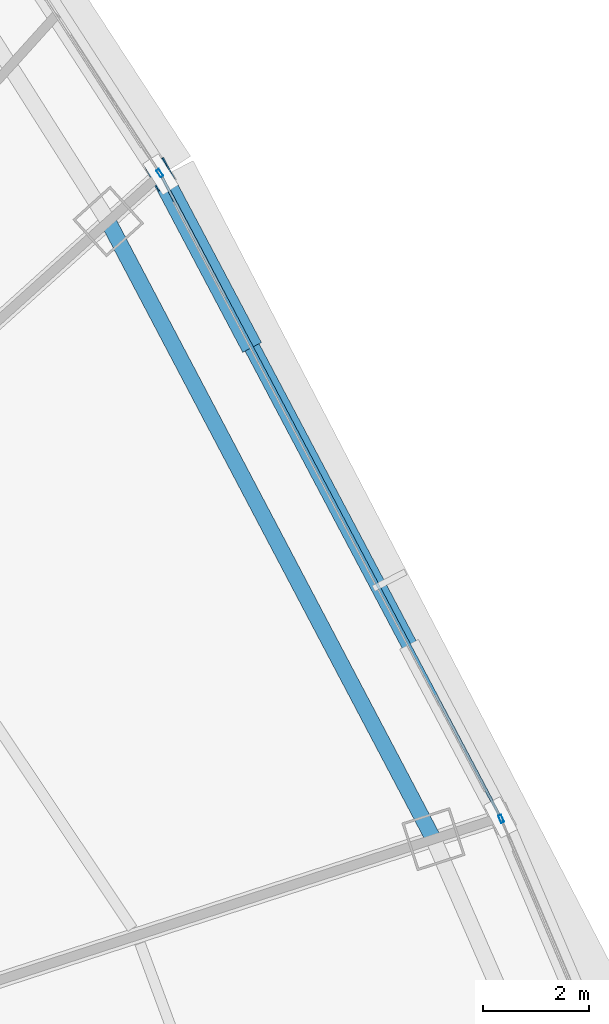
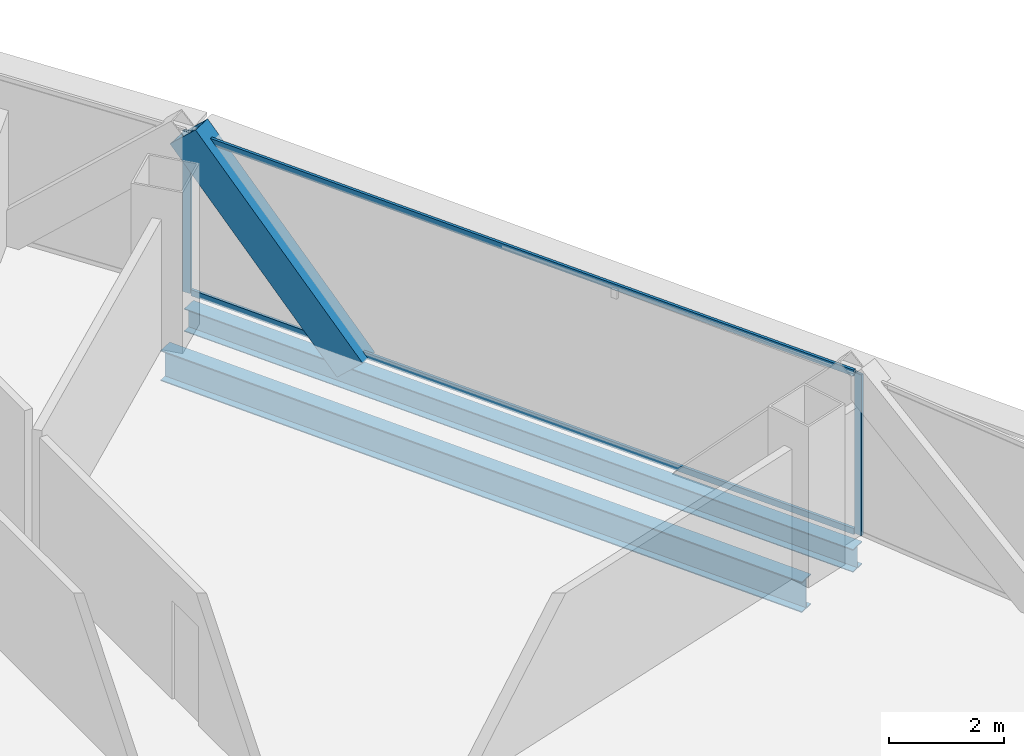
# One storey, part 28 of 41: 5 members, 2 beams, 3 elements without a shape of their own.
"""IFC4 building model written with IfcOpenShell, lengths in metres."""

from ifc_helpers import new_model, si_unit, direction, frame, origin, origin_2d, place, context, subcontext, project, spatial, hollow_rectangle, i_section, extrude, source, transform, mapped, material, layer, layer_set, material_profile, profile_set, type_object, element, aggregate, save


model = new_model("IFC4")

# Units and contexts
model_context = context("Model", 3, precision=1e-05, world=origin(), true_north=direction((0.0, 1.0)))
body_context = subcontext(model_context, "Body", "Model", "MODEL_VIEW")
ifc_project = project(units=[si_unit("LENGTHUNIT", "METRE"), si_unit("AREAUNIT", "SQUARE_METRE"), si_unit("VOLUMEUNIT", "CUBIC_METRE"), si_unit("PLANEANGLEUNIT", "RADIAN"), si_unit("MASSUNIT", "GRAM", prefix="KILO"), si_unit("THERMODYNAMICTEMPERATUREUNIT", "KELVIN"), si_unit("POWERUNIT", "WATT")], contexts=[model_context])

# Site, building, storey
site_placement = place(None, origin())
site = spatial("IfcSite", under=ifc_project, at=site_placement, CompositionType="ELEMENT")
building_placement = place(site_placement, origin())
building = spatial("IfcBuilding", under=site, at=building_placement, Name="Yunzhuo Pagoda Commons", CompositionType="ELEMENT")
storey_placement = place(building_placement, frame((0.0, 0.0, 155.590087890625)))
storey = spatial("IfcBuildingStorey", under=building, at=storey_placement, Name="L39", CompositionType="ELEMENT", Elevation=155.590087890625)

# Beams
ifc_material_1 = material(Name="Structural steel Q355B", Category="steel")
ifc_material_profile_1 = material_profile(ifc_material_1, i_section(OverallWidth=0.300048828125, OverallDepth=0.64990234375, WebThickness=0.012939453125, FlangeThickness=0.02197265625, at=origin_2d()), Name="Structural steel Q355B")
ifc_profile_set_1 = profile_set([ifc_material_profile_1], Name="Structural steel Q355B")
beam_type_1 = type_object("IfcBeamType", Name="B-RG2 Beam HN 650x300x13x22", PredefinedType="BEAM", material=ifc_profile_set_1)
shared_shape_1 = source(origin(), body_context, "Body", "SweptSolid", [
    extrude(i_section(OverallWidth=0.300048828125, OverallDepth=0.64990234375, WebThickness=0.012939453125, FlangeThickness=0.02197265625, at=origin_2d()), origin(), (0.0, 0.0, 1.0), 13.198974609375),
])
beam_1_placement = place(storey_placement, frame((77.915283203125, 43.420166015625, -0.585205078125), z_axis=(-0.465885937554, 0.884844784801, 0.0), x_axis=(-0.884844784801, -0.465885937554, 0.0)))
element("IfcBeam", 1, at=beam_1_placement, inside=storey, type_object=beam_type_1, Name="L39 column-ring beam 6", PredefinedType="BEAM", context=body_context, shape_type="MappedRepresentation", body=[
    mapped(shared_shape_1, transform((0.0, 0.0, 0.0), scale=1.0)),
])
ifc_material_profile_2 = material_profile(ifc_material_1, i_section(OverallWidth=0.300048828125, OverallDepth=0.488037109375, WebThickness=0.010986328125, FlangeThickness=0.01806640625, at=origin_2d()), Name="Structural steel Q355B")
ifc_profile_set_2 = profile_set([ifc_material_profile_2], Name="Structural steel Q355B")
beam_type_2 = type_object("IfcBeamType", Name="B-SP1 Beam HM 488x300x11x18", PredefinedType="BEAM", material=ifc_profile_set_2)
shared_shape_2 = source(origin(), body_context, "Body", "SweptSolid", [
    extrude(i_section(OverallWidth=0.300048828125, OverallDepth=0.488037109375, WebThickness=0.010986328125, FlangeThickness=0.01806640625, at=origin_2d()), origin(), (0.0, 0.0, 1.0), 13.75244140625),
])
beam_2_placement = place(storey_placement, frame((79.182861328125, 43.831787109375, -0.50390625), z_axis=(-0.467350934474, 0.884071888506, 0.0), x_axis=(-0.884071888506, -0.467350934474, 0.0)))
element("IfcBeam", 2, at=beam_2_placement, inside=storey, type_object=beam_type_2, Name="L39 facade edge spandrel beam F2.2", PredefinedType="BEAM", context=body_context, shape_type="MappedRepresentation", body=[
    mapped(shared_shape_2, transform((0.0, 0.0, 0.0), scale=1.0)),
])

# Member
ifc_material_profile_3 = material_profile(ifc_material_1, hollow_rectangle(XDim=0.39990234375, YDim=0.719970703125, WallThickness=0.02392578125, at=origin_2d()), Name="Structural steel Q355B")
ifc_profile_set_3 = profile_set([ifc_material_profile_3], Name="Structural steel Q355B")
member_type_1 = type_object("IfcMemberType", Name="M-DL2 Brace BOX 720x400x24", PredefinedType="BRACE", material=ifc_profile_set_3)
shared_shape_3 = source(origin(), body_context, "Body", "SweptSolid", [
    extrude(hollow_rectangle(XDim=0.39990234375, YDim=0.719970703125, WallThickness=0.02392578125, at=origin_2d()), origin(), (0.0, 0.0, 1.0), 5.035888671875),
])
member_1_placement = place(storey_placement, frame((74.3623046875, 52.95068359375, -0.260009765625), z_axis=(-0.31904433984, 0.603522714887, 0.730733222066), x_axis=(-0.884071048322, -0.467352523818, 0.0)))
element("IfcMember", 3, at=member_1_placement, inside=storey, type_object=member_type_1, Name="L39 facade diamond brace F2.2R", PredefinedType="BRACE", context=body_context, shape_type="MappedRepresentation", body=[
    mapped(shared_shape_3, transform((0.0, 0.0, 0.0), scale=1.0)),
])

# Curtain wall, member
ifc_material_2 = material(Name="Anodized aluminium 6063-T6", Category="aluminium")
ifc_layer = layer(ifc_material_2, 0.14990234375)
ifc_layer_set = layer_set([ifc_layer], Name="Anodized aluminium 6063-T6")
curtain_wall_type = type_object("IfcCurtainWallType", Name="CW-MID Mid-Zone Ribbon Curtain Wall", PredefinedType="NOTDEFINED", material=ifc_layer_set)
curtain_wall_1_placement = place(storey_placement, origin())
curtain_wall_1 = element("IfcCurtainWall", 4, at=curtain_wall_1_placement, inside=storey, type_object=curtain_wall_type, Name="L39 curtain wall CW-L39-F2B2", PredefinedType="NOTDEFINED")
ifc_material_profile_4 = material_profile(ifc_material_2, hollow_rectangle(XDim=0.06005859375, YDim=0.14990234375, WallThickness=0.00390625, at=origin_2d()), Name="Anodized aluminium 6063-T6")
ifc_profile_set_4 = profile_set([ifc_material_profile_4], Name="Anodized aluminium 6063-T6")
member_type_2 = type_object("IfcMemberType", Name="CW-MID-M Mullion RHS 150x60x4", PredefinedType="MULLION", material=ifc_profile_set_4)
shared_shape_4 = source(origin(), body_context, "Body", "SweptSolid", [
    extrude(hollow_rectangle(XDim=0.06005859375, YDim=0.14990234375, WallThickness=0.00390625, at=origin_2d()), origin(), (0.0, 0.0, 1.0), 3.419921875),
])
member_2_placement = place(storey_placement, frame((79.194580078125, 43.80419921875, 0.0), z_axis=(0.0, 0.0, 1.0), x_axis=(-0.92021678471, -0.391409081572, 0.0)))
member_2 = element("IfcMember", 5, at=member_2_placement, type_object=member_type_2, Name="CW mullion 2", PredefinedType="MULLION", context=body_context, shape_type="MappedRepresentation", body=[
    mapped(shared_shape_4, transform((0.0, 0.0, 0.0), scale=1.0)),
])
aggregate(curtain_wall_1, [member_2])

curtain_wall_2_placement = place(storey_placement, origin())
curtain_wall_2 = element("IfcCurtainWall", 6, at=curtain_wall_2_placement, inside=storey, type_object=curtain_wall_type, Name="L39 curtain wall CW-L39-F2B4", PredefinedType="NOTDEFINED")
member_3_placement = place(storey_placement, frame((72.7392578125, 56.01513671875, 0.0), z_axis=(0.0, 0.0, 1.0), x_axis=(-0.839392571637, -0.543525630197, 0.0)))
member_3 = element("IfcMember", 7, at=member_3_placement, type_object=member_type_2, Name="CW mullion 1", PredefinedType="MULLION", context=body_context, shape_type="MappedRepresentation", body=[
    mapped(shared_shape_4, transform((0.0, 0.0, 0.0), scale=1.0)),
])
aggregate(curtain_wall_2, [member_3])

# Curtain wall, members
curtain_wall_3_placement = place(storey_placement, origin())
curtain_wall_3 = element("IfcCurtainWall", 8, at=curtain_wall_3_placement, inside=storey, type_object=curtain_wall_type, Name="L39 curtain wall CW-L39-F2B3", PredefinedType="NOTDEFINED")
ifc_material_profile_5 = material_profile(ifc_material_2, hollow_rectangle(XDim=0.054931640625, YDim=0.1298828125, WallThickness=0.00341796875, at=origin_2d()), Name="Anodized aluminium 6063-T6")
ifc_profile_set_5 = profile_set([ifc_material_profile_5], Name="Anodized aluminium 6063-T6")
member_type_3 = type_object("IfcMemberType", Name="CW-MID-T Transom RHS 130x55x3.5", PredefinedType="USERDEFINED", material=ifc_profile_set_5)
shared_shape_5 = source(origin(), body_context, "Body", "SweptSolid", [
    extrude(hollow_rectangle(XDim=0.054931640625, YDim=0.1298828125, WallThickness=0.00341796875, at=origin_2d()), origin(), (0.0, 0.0, 1.0), 13.632568359375),
])
member_4_placement = place(storey_placement, frame((79.15478515625, 43.885009765625, 0.02734375), z_axis=(-0.467364316049, 0.884064814414, 0.0), x_axis=(-0.884064814414, -0.467364316049, 0.0)))
member_4 = element("IfcMember", 9, at=member_4_placement, type_object=member_type_3, Name="CW transom 1.1", ObjectType="TRANSOM", PredefinedType="USERDEFINED", context=body_context, shape_type="MappedRepresentation", body=[
    mapped(shared_shape_5, transform((0.0, 0.0, 0.0), scale=1.0)),
])
member_5_placement = place(storey_placement, frame((79.15478515625, 43.885009765625, 3.392333984375), z_axis=(-0.467364316049, 0.884064814414, 0.0), x_axis=(-0.884064814414, -0.467364316049, 0.0)))
member_5 = element("IfcMember", 10, at=member_5_placement, type_object=member_type_3, Name="CW transom 1.2", ObjectType="TRANSOM", PredefinedType="USERDEFINED", context=body_context, shape_type="MappedRepresentation", body=[
    mapped(shared_shape_5, transform((0.0, 0.0, 0.0), scale=1.0)),
])
aggregate(curtain_wall_3, [member_4, member_5])

save(model, "model.ifc")
